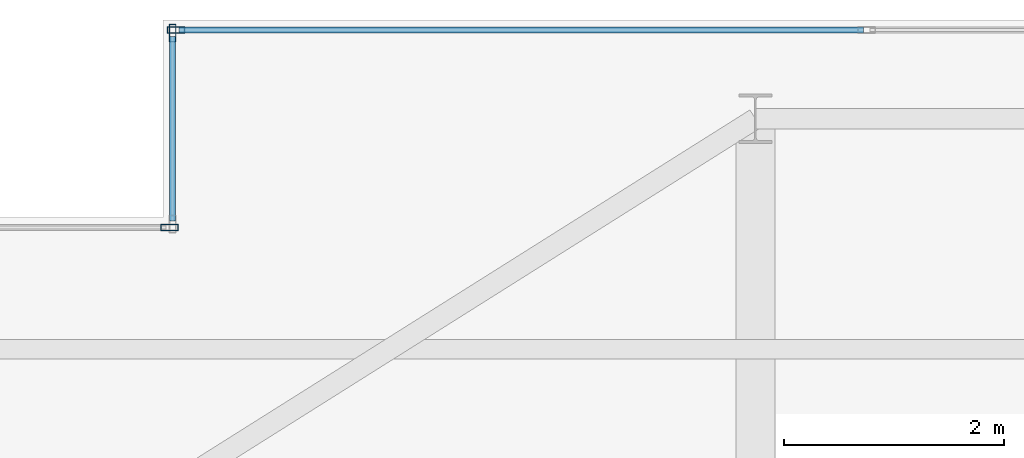
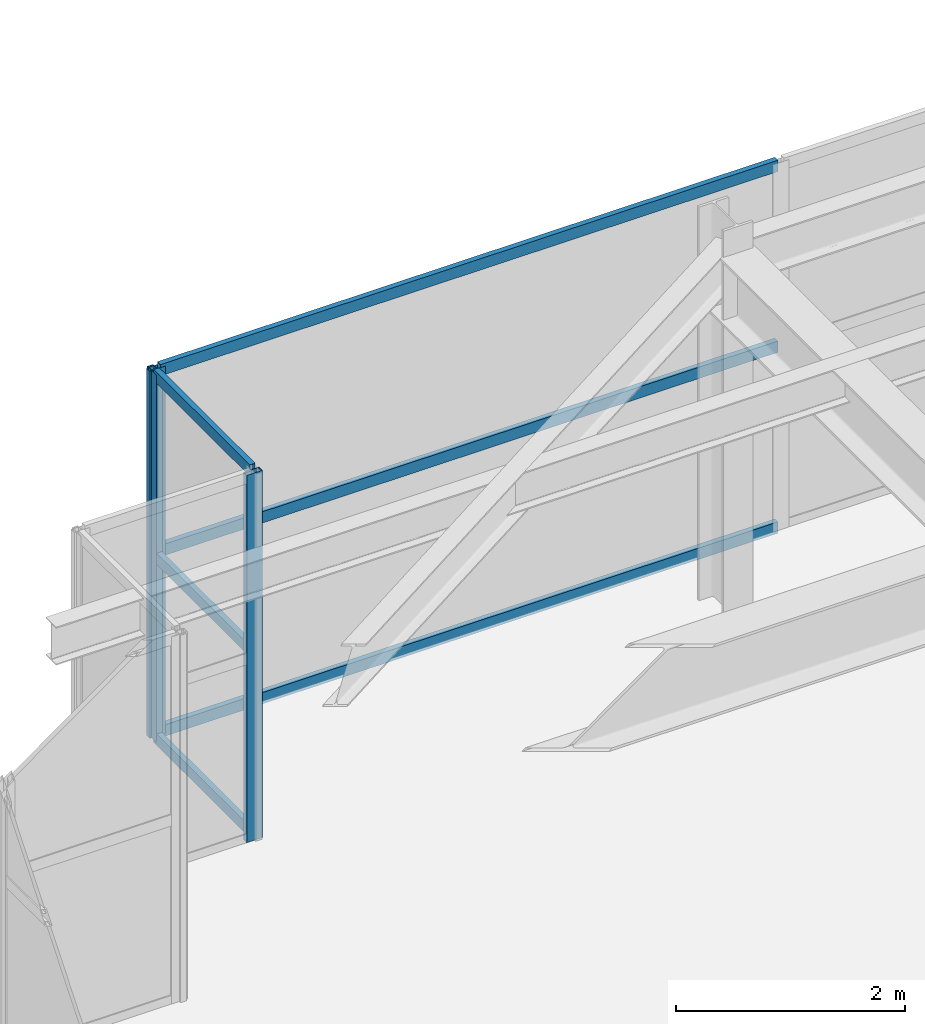
# One storey, part 22 of 32: 9 members, 3 elements without a shape of their own.
"""IFC4 building model written with IfcOpenShell, lengths in metres."""

import ifcopenshell
import ifcopenshell.guid

model = None  # the IFC model being written
_history = None  # IfcOwnerHistory: only IFC2X3 demands one
_inside = {}  # id of a spatial element -> (the spatial element, [elements in it])
_under = {}  # id of a project, library or spatial element -> (it, [spatial elements below it])
_declared = {}  # id of a project -> (the project, [libraries it declares])
_typed = {}  # id of a type object -> (the type object, [elements of that type])
_made_of = {}  # id of a material, layer set ... -> (it, [elements and type objects made of it])


def new_model(schema):
    """Start an empty IFC model of exactly this schema.

    Asked for "IFC4X3", IfcOpenShell would pick the latest addendum, in which some entities
    have other attributes; the version numbers below select the first issue.
    IFC2X3 requires an IfcOwnerHistory on every rooted entity: one is made here for all.
    """
    global model, _history
    if schema == "IFC4X3":
        model = ifcopenshell.file(schema_version=(4, 3, 0, 0))
    else:
        model = ifcopenshell.file(schema=schema)
    _inside.clear()
    _under.clear()
    _declared.clear()
    _typed.clear()
    _made_of.clear()
    _history = None
    if model.schema == "IFC2X3":
        org = make("IfcOrganization", Name="unknown")
        user = make(
            "IfcPersonAndOrganization",
            ThePerson=make("IfcPerson", FamilyName="unknown"),
            TheOrganization=org,
        )
        app = make(
            "IfcApplication",
            ApplicationDeveloper=org,
            Version="unknown",
            ApplicationFullName="unknown",
            ApplicationIdentifier="unknown",
        )
        _history = make(
            "IfcOwnerHistory",
            OwningUser=user,
            OwningApplication=app,
            ChangeAction="ADDED",
            CreationDate=0,
        )
    return model


def make(cls, **values):
    """One entity of the class cls with the attributes given. An attribute that is None is left unset."""
    return model.create_entity(
        cls, **{name: value for name, value in values.items() if value is not None}
    )


def rooted(cls, **values):
    """An entity with a GlobalId (a new one), such as an element, a storey or a relation."""
    return make(cls, GlobalId=ifcopenshell.guid.new(), OwnerHistory=_history, **values)


def si_unit(unit_type, name, prefix=None):
    """IfcSIUnit, for example si_unit("LENGTHUNIT", "METRE", prefix="MILLI")."""
    return make("IfcSIUnit", UnitType=unit_type, Prefix=prefix, Name=name)


def assignment(units):
    """IfcUnitAssignment: the units of a project."""
    return None if units is None else make("IfcUnitAssignment", Units=units)


def point(xyz):
    """IfcCartesianPoint."""
    return None if xyz is None else make("IfcCartesianPoint", Coordinates=xyz)


def direction(xyz):
    """IfcDirection."""
    return None if xyz is None else make("IfcDirection", DirectionRatios=xyz)


def frame(location, z_axis=None, x_axis=None):
    """IfcAxis2Placement3D, a coordinate frame: its origin and axes. An axis left out is left unset."""
    return make(
        "IfcAxis2Placement3D",
        Location=point(location),
        Axis=direction(z_axis),
        RefDirection=direction(x_axis),
    )


def frame_2d(location, x_axis=None):
    """IfcAxis2Placement2D, a coordinate frame in the plane: its origin and x axis."""
    return make(
        "IfcAxis2Placement2D", Location=point(location), RefDirection=direction(x_axis)
    )


def origin():
    """The frame at (0, 0, 0) with its axes left unset."""
    return frame((0.0, 0.0, 0.0))


def origin_2d():
    """The frame at (0, 0) in the plane with its x axis left unset."""
    return frame_2d((0.0, 0.0))


def place(relative_to, where):
    """IfcLocalPlacement: puts the frame where relative to a parent placement (None: the world)."""
    return make(
        "IfcLocalPlacement", PlacementRelTo=relative_to, RelativePlacement=where
    )


def context(
    kind, dimensions, precision=None, world=None, true_north=None, identifier=None
):
    """IfcGeometricRepresentationContext, for example the 3D "Model" context."""
    return make(
        "IfcGeometricRepresentationContext",
        ContextIdentifier=identifier,
        ContextType=kind,
        CoordinateSpaceDimension=dimensions,
        Precision=precision,
        WorldCoordinateSystem=world,
        TrueNorth=true_north,
    )


def subcontext(parent, identifier, kind, view, scale=None):
    """IfcGeometricRepresentationSubContext, for example "Body" below "Model"."""
    return make(
        "IfcGeometricRepresentationSubContext",
        ContextIdentifier=identifier,
        ContextType=kind,
        ParentContext=parent,
        TargetScale=scale,
        TargetView=view,
    )


def project(units=None, contexts=None):
    """IfcProject with its units and contexts."""
    return rooted(
        "IfcProject",
        Name="project",
        RepresentationContexts=contexts,
        UnitsInContext=assignment(units),
    )


def spatial(cls, under=None, at=None, **own):
    """A site, building, storey or space (cls), placed at a placement, below another one or the project."""
    s = rooted(cls, ObjectPlacement=at, **own)
    if under is not None:
        _under.setdefault(under.id(), (under, []))[1].append(s)
    return s


def profile(cls, at=None, kind="AREA", **sizes):
    """A parametric profile (cls). Its sizes go by their IFC names, for example OverallWidth=200.0."""
    return make(cls, ProfileType=kind, Position=at, **sizes)


def hollow_rectangle(**sizes):
    """IfcRectangleHollowProfileDef."""
    return profile("IfcRectangleHollowProfileDef", **sizes)


def extrude(swept, where, along, depth):
    """IfcExtrudedAreaSolid: the profile swept, set in the frame where, extruded along a direction by depth."""
    return make(
        "IfcExtrudedAreaSolid",
        SweptArea=swept,
        Position=where,
        ExtrudedDirection=direction(along),
        Depth=depth,
    )


def shape(context_of_items, identifier, shape_type, items):
    """IfcShapeRepresentation: the items that make up one representation, for example the "Body"."""
    return make(
        "IfcShapeRepresentation",
        ContextOfItems=context_of_items,
        RepresentationIdentifier=identifier,
        RepresentationType=shape_type,
        Items=items,
    )


def source(mapping_origin, context_of_items, identifier, shape_type, items):
    """IfcRepresentationMap: a shape defined once, which mapped items show again and again."""
    return make(
        "IfcRepresentationMap",
        MappingOrigin=mapping_origin,
        MappedRepresentation=shape(context_of_items, identifier, shape_type, items),
    )


def transform(
    local_origin,
    x_axis=None,
    y_axis=None,
    z_axis=None,
    scale=None,
    scale2=None,
    scale3=None,
    uniform=True,
):
    """IfcCartesianTransformationOperator3D, or its non-uniform kind. x_axis, y_axis, z_axis: its Axis1, 2, 3."""
    if uniform:
        return make(
            "IfcCartesianTransformationOperator3D",
            Axis1=direction(x_axis),
            Axis2=direction(y_axis),
            LocalOrigin=point(local_origin),
            Scale=scale,
            Axis3=direction(z_axis),
        )
    return make(
        "IfcCartesianTransformationOperator3DnonUniform",
        Axis1=direction(x_axis),
        Axis2=direction(y_axis),
        LocalOrigin=point(local_origin),
        Scale=scale,
        Axis3=direction(z_axis),
        Scale2=scale2,
        Scale3=scale3,
    )


def mapped(mapping_source, mapping_target):
    """IfcMappedItem: shows the shape of a source again, moved by a transform."""
    return make(
        "IfcMappedItem", MappingSource=mapping_source, MappingTarget=mapping_target
    )


def material(Name=None, Category=None):
    """IfcMaterial."""
    return make("IfcMaterial", Name=Name, Category=Category)


def layer(
    of_material, thickness, ventilated=None, Name=None, Category=None, Priority=None
):
    """IfcMaterialLayer: one layer of a wall or slab, of a material (None: an air gap)."""
    return make(
        "IfcMaterialLayer",
        Material=of_material,
        LayerThickness=thickness,
        IsVentilated=ventilated,
        Name=Name,
        Category=Category,
        Priority=Priority,
    )


def layer_set(layers, Name=None):
    """IfcMaterialLayerSet."""
    return make("IfcMaterialLayerSet", MaterialLayers=layers, LayerSetName=Name)


def material_profile(
    of_material, cross_section, Name=None, Category=None, Priority=None
):
    """IfcMaterialProfile: a cross section and its material."""
    return make(
        "IfcMaterialProfile",
        Name=Name,
        Material=of_material,
        Profile=cross_section,
        Priority=Priority,
        Category=Category,
    )


def profile_set(profiles, Name=None, composite=None):
    """IfcMaterialProfileSet."""
    return make(
        "IfcMaterialProfileSet",
        Name=Name,
        MaterialProfiles=profiles,
        CompositeProfile=composite,
    )


def made_of(thing, what):
    """Note that an element or type object is made of a material, layer set ...; save() writes the relation."""
    if what is not None:
        _made_of.setdefault(what.id(), (what, []))[1].append(thing)
    return thing


def type_object(cls, material=None, **own):
    """A type object (cls), such as IfcWallType, which elements share."""
    return made_of(rooted(cls, **own), material)


def element(
    cls,
    number,
    at=None,
    inside=None,
    cuts=None,
    type_object=None,
    material=None,
    context=None,
    identifier="Body",
    shape_type=None,
    held_by="IfcProductDefinitionShape",
    body=None,
    shapes=None,
    **own,
):
    """One element of the class cls, such as IfcWall. Its Tag is "e" and its number.

    at: its placement. inside: the storey or other place that contains it. cuts: it is an
    opening in that element (IfcRelVoidsElement). A single representation is given by context,
    identifier, shape_type and body (its items); several are given by shapes. held_by: the class
    of the entity that holds the representations. save() writes the other relations.
    """
    e = rooted(cls, Tag="e%d" % number, ObjectPlacement=at, **own)
    if body is not None:
        shapes = [shape(context, identifier, shape_type, body)]
    if shapes is not None:
        e.Representation = make(held_by, Representations=shapes)
    if inside is not None:
        _inside.setdefault(inside.id(), (inside, []))[1].append(e)
    if cuts is not None:
        rooted(
            "IfcRelVoidsElement", RelatingBuildingElement=cuts, RelatedOpeningElement=e
        )
    if type_object is not None:
        _typed.setdefault(type_object.id(), (type_object, []))[1].append(e)
    return made_of(e, material)


def aggregate(whole, parts):
    """IfcRelAggregates: a whole, such as a stair, and the parts it consists of."""
    return rooted("IfcRelAggregates", RelatingObject=whole, RelatedObjects=parts)


def save(model, path):
    """Write the relations noted so far, then the file.

    IfcRelAggregates (storeys below a building ...), IfcRelContainedInSpatialStructure (elements
    in a storey), IfcRelDefinesByType, IfcRelAssociatesMaterial and IfcRelDeclares: one each for
    every whole, place, type object, material and project.
    """
    for whole, parts in _under.values():
        aggregate(whole, parts)
    for where, things in _inside.values():
        rooted(
            "IfcRelContainedInSpatialStructure",
            RelatedElements=things,
            RelatingStructure=where,
        )
    for kind, things in _typed.values():
        rooted("IfcRelDefinesByType", RelatedObjects=things, RelatingType=kind)
    for what, things in _made_of.values():
        rooted("IfcRelAssociatesMaterial", RelatedObjects=things, RelatingMaterial=what)
    for by, libraries in _declared.values():
        rooted("IfcRelDeclares", RelatingContext=by, RelatedDefinitions=libraries)
    model.write(path)


model = new_model("IFC4")

# Units and contexts
model_context = context("Model", 3, precision=1e-05, world=origin(), true_north=direction((0.0, 1.0)))
body_context = subcontext(model_context, "Body", "Model", "MODEL_VIEW")
ifc_project = project(units=[si_unit("LENGTHUNIT", "METRE"), si_unit("AREAUNIT", "SQUARE_METRE"), si_unit("VOLUMEUNIT", "CUBIC_METRE"), si_unit("PLANEANGLEUNIT", "RADIAN"), si_unit("MASSUNIT", "GRAM", prefix="KILO")], contexts=[model_context])

# Site, building, storey
site_placement = place(None, origin())
site = spatial("IfcSite", under=ifc_project, at=site_placement, CompositionType="ELEMENT")
building_placement = place(site_placement, origin())
building = spatial("IfcBuilding", under=site, at=building_placement, Name="Khoralis Quay Care Tower", CompositionType="ELEMENT")
storey_placement = place(building_placement, frame((0.0, 0.0, 297.89990234375)))
storey = spatial("IfcBuildingStorey", under=building, at=storey_placement, Name="L78", CompositionType="ELEMENT", Elevation=297.89990234375)

# Curtain wall, member
ifc_material = material(Name="Pale anodised aluminium", Category="aluminium")
ifc_layer = layer(ifc_material, 0.199951171875)
ifc_layer_set = layer_set([ifc_layer], Name="Pale anodised aluminium")
curtain_wall_type = type_object("IfcCurtainWallType", Name="CW-SYS-LANTERN", PredefinedType="NOTDEFINED", material=ifc_layer_set)
curtain_wall_1_placement = place(storey_placement, origin())
curtain_wall_1 = element("IfcCurtainWall", 1, at=curtain_wall_1_placement, inside=storey, type_object=curtain_wall_type, Name="L78 Unitised Curtain Wall CW-LN-L78-11", PredefinedType="NOTDEFINED")
ifc_material_profile_1 = material_profile(ifc_material, hollow_rectangle(XDim=0.06005859375, YDim=0.159912109375, WallThickness=0.00390625, at=origin_2d()), Name="Pale anodised aluminium")
ifc_profile_set_1 = profile_set([ifc_material_profile_1], Name="Pale anodised aluminium")
member_type_1 = type_object("IfcMemberType", Name="CW-MUL-160", PredefinedType="MULLION", material=ifc_profile_set_1)
shared_shape_1 = source(origin(), body_context, "Body", "SweptSolid", [
    extrude(hollow_rectangle(XDim=0.06005859375, YDim=0.159912109375, WallThickness=0.00390625, at=origin_2d()), origin(), (0.0, 0.0, 1.0), 3.920166015625),
])
member_1_placement = place(storey_placement, frame((6.719970703125, 41.909912109375, 0.0), z_axis=(0.0, 0.0, 1.0), x_axis=(0.0, -1.0, 0.0)))
member_1 = element("IfcMember", 2, at=member_1_placement, type_object=member_type_1, Name="CW5 mullion 6", PredefinedType="MULLION", context=body_context, shape_type="MappedRepresentation", body=[
    mapped(shared_shape_1, transform((0.0, 0.0, 0.0), scale=1.0)),
])

curtain_wall_2_placement = place(storey_placement, origin())
curtain_wall_2 = element("IfcCurtainWall", 3, at=curtain_wall_2_placement, inside=storey, type_object=curtain_wall_type, Name="L78 Unitised Curtain Wall CW-LN-L78-12", PredefinedType="NOTDEFINED")
member_2_placement = place(storey_placement, frame((6.68994140625, 41.8798828125, 0.0), z_axis=(0.0, 0.0, 1.0), x_axis=(1.0, 0.0, 0.0)))
member_2 = element("IfcMember", 4, at=member_2_placement, type_object=member_type_1, Name="CW5 mullion 1", PredefinedType="MULLION", context=body_context, shape_type="MappedRepresentation", body=[
    mapped(shared_shape_1, transform((0.0, 0.0, 0.0), scale=1.0)),
])

curtain_wall_3_placement = place(storey_placement, origin())
curtain_wall_3 = element("IfcCurtainWall", 5, at=curtain_wall_3_placement, inside=storey, type_object=curtain_wall_type, Name="L78 Unitised Curtain Wall CW-LN-L78-13", PredefinedType="NOTDEFINED")
member_3_placement = place(storey_placement, frame((6.659912109375, 40.110107421875, 0.0), z_axis=(0.0, 0.0, 1.0), x_axis=(0.0, -1.0, 0.0)))
member_3 = element("IfcMember", 6, at=member_3_placement, type_object=member_type_1, Name="CW5 mullion 1", PredefinedType="MULLION", context=body_context, shape_type="MappedRepresentation", body=[
    mapped(shared_shape_1, transform((0.0, 0.0, 0.0), scale=1.0)),
])
aggregate(curtain_wall_3, [member_3])

# Member
ifc_material_profile_2 = material_profile(ifc_material, hollow_rectangle(XDim=0.054931640625, YDim=0.1201171875, WallThickness=0.00390625, at=origin_2d()), Name="Pale anodised aluminium")
ifc_profile_set_2 = profile_set([ifc_material_profile_2], Name="Pale anodised aluminium")
member_type_2 = type_object("IfcMemberType", Name="CW-TRN-120", PredefinedType="USERDEFINED", material=ifc_profile_set_2)
shared_shape_2 = source(origin(), body_context, "Body", "SweptSolid", [
    extrude(hollow_rectangle(XDim=0.054931640625, YDim=0.1201171875, WallThickness=0.00390625, at=origin_2d()), origin(), (0.0, 0.0, 1.0), 6.23388671875),
])
member_4_placement = place(storey_placement, frame((12.98388671875, 41.909912109375, 0.030029296875), z_axis=(-1.0, 0.0, 0.0), x_axis=(0.0, -1.0, 0.0)))
member_4 = element("IfcMember", 7, at=member_4_placement, type_object=member_type_2, Name="CW5 transom 5.1", ObjectType="TRANSOM", PredefinedType="USERDEFINED", context=body_context, shape_type="MappedRepresentation", body=[
    mapped(shared_shape_2, transform((0.0, 0.0, 0.0), scale=1.0)),
])

member_5_placement = place(storey_placement, frame((12.98388671875, 41.909912109375, 1.960205078125), z_axis=(-1.0, 0.0, 0.0), x_axis=(0.0, -1.0, 0.0)))
member_5 = element("IfcMember", 8, at=member_5_placement, type_object=member_type_2, Name="CW5 transom 5.2", ObjectType="TRANSOM", PredefinedType="USERDEFINED", context=body_context, shape_type="MappedRepresentation", body=[
    mapped(shared_shape_2, transform((0.0, 0.0, 0.0), scale=1.0)),
])

member_6_placement = place(storey_placement, frame((12.98388671875, 41.909912109375, 3.89013671875), z_axis=(-1.0, 0.0, 0.0), x_axis=(0.0, -1.0, 0.0)))
member_6 = element("IfcMember", 9, at=member_6_placement, type_object=member_type_2, Name="CW5 transom 5.3", ObjectType="TRANSOM", PredefinedType="USERDEFINED", context=body_context, shape_type="MappedRepresentation", body=[
    mapped(shared_shape_2, transform((0.0, 0.0, 0.0), scale=1.0)),
])

aggregate(curtain_wall_1, [member_1, member_4, member_5, member_6])

shared_shape_3 = source(origin(), body_context, "Body", "SweptSolid", [
    extrude(hollow_rectangle(XDim=0.054931640625, YDim=0.1201171875, WallThickness=0.00390625, at=origin_2d()), origin(), (0.0, 0.0, 1.0), 1.68017578125),
])
member_7_placement = place(storey_placement, frame((6.68994140625, 41.85009765625, 0.030029296875), z_axis=(0.0, -1.0, 0.0), x_axis=(1.0, 0.0, 0.0)))
member_7 = element("IfcMember", 10, at=member_7_placement, type_object=member_type_2, Name="CW5 transom 1.1", ObjectType="TRANSOM", PredefinedType="USERDEFINED", context=body_context, shape_type="MappedRepresentation", body=[
    mapped(shared_shape_3, transform((0.0, 0.0, 0.0), scale=1.0)),
])

member_8_placement = place(storey_placement, frame((6.68994140625, 41.85009765625, 1.960205078125), z_axis=(0.0, -1.0, 0.0), x_axis=(1.0, 0.0, 0.0)))
member_8 = element("IfcMember", 11, at=member_8_placement, type_object=member_type_2, Name="CW5 transom 1.2", ObjectType="TRANSOM", PredefinedType="USERDEFINED", context=body_context, shape_type="MappedRepresentation", body=[
    mapped(shared_shape_3, transform((0.0, 0.0, 0.0), scale=1.0)),
])

member_9_placement = place(storey_placement, frame((6.68994140625, 41.85009765625, 3.89013671875), z_axis=(0.0, -1.0, 0.0), x_axis=(1.0, 0.0, 0.0)))
member_9 = element("IfcMember", 12, at=member_9_placement, type_object=member_type_2, Name="CW5 transom 1.3", ObjectType="TRANSOM", PredefinedType="USERDEFINED", context=body_context, shape_type="MappedRepresentation", body=[
    mapped(shared_shape_3, transform((0.0, 0.0, 0.0), scale=1.0)),
])

aggregate(curtain_wall_2, [member_2, member_7, member_8, member_9])

save(model, "model.ifc")
